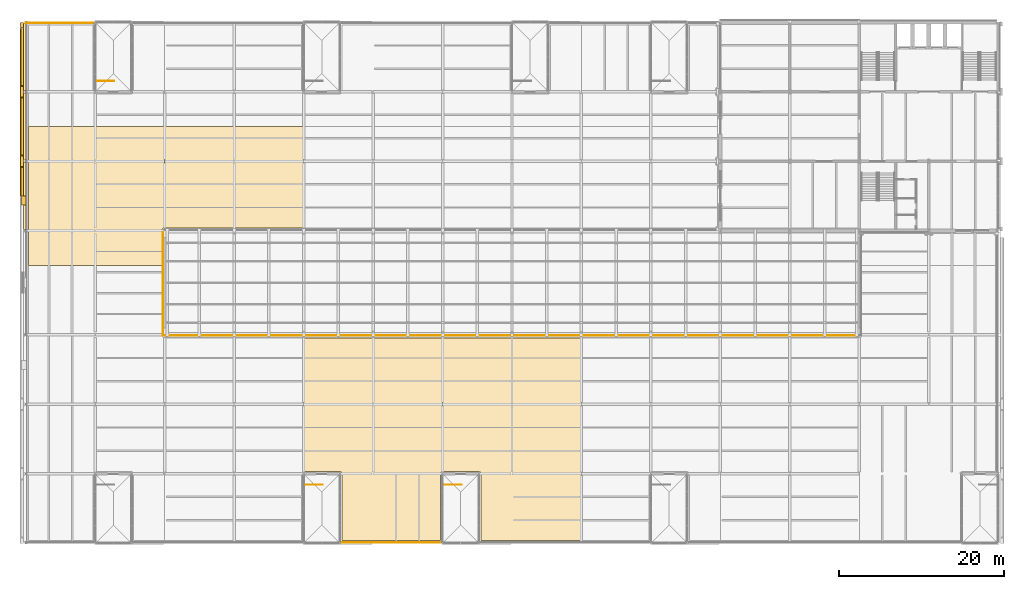
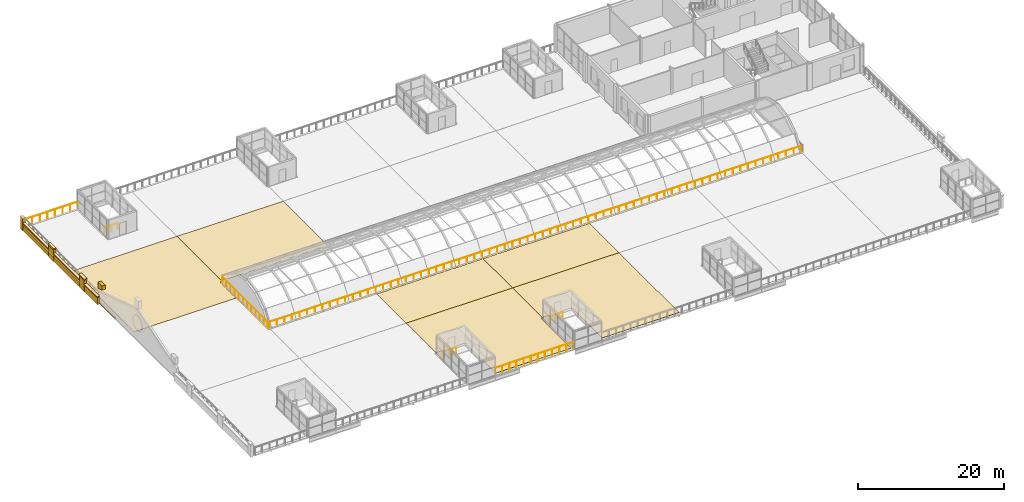
# One storey, part 51 of 58: 21 coverings, 7 railings.
"""IFC4 building model written with IfcOpenShell, lengths in metres."""

from ifc_helpers import new_model, si_unit, direction, frame, origin, origin_2d, place, context, subcontext, project, spatial, polyline, rectangle, circle, outline, extrude, material, layer, layer_set, type_object, element, save


model = new_model("IFC4")

# Units and contexts
model_context = context("Model", 3, precision=1e-05, world=origin(), true_north=direction((0.0, 1.0)))
body_context = subcontext(model_context, "Body", "Model", "MODEL_VIEW")
ifc_project = project(units=[si_unit("LENGTHUNIT", "METRE"), si_unit("AREAUNIT", "SQUARE_METRE"), si_unit("VOLUMEUNIT", "CUBIC_METRE"), si_unit("PLANEANGLEUNIT", "RADIAN"), si_unit("MASSUNIT", "GRAM", prefix="KILO")], contexts=[model_context])

# Site, building, storey
site_placement = place(None, origin())
site = spatial("IfcSite", under=ifc_project, at=site_placement, CompositionType="ELEMENT")
building_placement = place(site_placement, origin())
building = spatial("IfcBuilding", under=site, at=building_placement, Name="Galleria Vessillo Department Store", CompositionType="ELEMENT")
storey_placement = place(building_placement, frame((0.0, 0.0, 31.199951171875)))
storey = spatial("IfcBuildingStorey", under=building, at=storey_placement, Name="L06", CompositionType="ELEMENT", Elevation=31.199951171875)

# Coverings
ifc_material_1 = material(Name="Botticino limestone ashlar", Category="masonry")
ifc_layer_1 = layer(ifc_material_1, 0.530029296875)
ifc_layer_set_1 = layer_set([ifc_layer_1], Name="Botticino limestone ashlar")
covering_type_1 = type_object("IfcCoveringType", Name="Limestone acroterion block 1100 x 530", PredefinedType="CLADDING", material=ifc_layer_set_1)
covering_1_placement = place(storey_placement, frame((-0.5, 0.0, 0.0), z_axis=(1.0, 0.0, 0.0), x_axis=(0.0, 1.0, 0.0)))
element("IfcCovering", 1, at=covering_1_placement, inside=storey, type_object=covering_type_1, Name="Acroterion West Street pediment corner N", PredefinedType="CLADDING", context=body_context, shape_type="SweptSolid", body=[
    extrude(outline(polyline([(40.89990234375, 2.856201171875), (42.0, 2.5), (42.0, 3.55615234375), (40.89990234375, 3.55615234375), (40.89990234375, 2.856201171875)])), origin(), (0.0, 0.0, 1.0), 0.530029296875),
])
ifc_material_2 = material(Name="Botticino limestone ashlar", Category="masonry")
ifc_layer_2 = layer(ifc_material_2, 0.409912109375)
ifc_layer_set_2 = layer_set([ifc_layer_2], Name="Botticino limestone ashlar")
covering_type_2 = type_object("IfcCoveringType", Name="Limestone attic pier 1300 x 410 x 2000", PredefinedType="CLADDING", material=ifc_layer_set_2)
for number, where, z_axis, x_axis, name in (
    (2, (-0.455078125, 46.199951171875, -0.199951171875), (0.0, 0.0, 1.0), (1.0, 0.0, 0.0), "Attic pier W y=46.2"),
    (3, (-0.455078125, 54.60009765625, -0.199951171875), (0.0, 0.0, 1.0), (1.0, 0.0, 0.0), "Attic pier W y=54.6"),
):
    element("IfcCovering", number, at=place(storey_placement, frame(where, z_axis=z_axis, x_axis=x_axis)), inside=storey, type_object=covering_type_2, Name=name, PredefinedType="CLADDING", context=body_context, shape_type="SweptSolid", body=[
        extrude(rectangle(XDim=0.409912109375, YDim=1.300048828125, at=origin_2d()), origin(), (0.0, 0.0, 1.0), 2.0),
    ])
covering_2_placement = place(storey_placement, frame((-0.455078125, 62.675048828125, -0.199951171875), z_axis=(0.0, 0.0, 1.0), x_axis=(1.0, 0.0, 0.0)))
element("IfcCovering", 4, at=covering_2_placement, inside=storey, type_object=covering_type_2, Name="Attic pier W y=63.0", PredefinedType="CLADDING", context=body_context, shape_type="SweptSolid", body=[
    extrude(rectangle(XDim=0.409912109375, YDim=0.64990234375, at=origin_2d()), origin(), (0.0, 0.0, 1.0), 2.0),
])
ifc_material_3 = material(Name="Botticino limestone ashlar", Category="masonry")
ifc_layer_3 = layer(ifc_material_3, 0.35009765625)
ifc_layer_set_3 = layer_set([ifc_layer_3], Name="Botticino limestone ashlar")
covering_type_3 = type_object("IfcCoveringType", Name="Limestone blocking course 350 x 1200", PredefinedType="CLADDING", material=ifc_layer_set_3)
covering_3_placement = place(storey_placement, frame((-0.425048828125, 43.77490234375, -0.19970703125), z_axis=(0.0, 0.0, 1.0), x_axis=(1.0, 0.0, 0.0)))
element("IfcCovering", 5, at=covering_3_placement, inside=storey, type_object=covering_type_3, Name="Blocking course W y=42.0-45.6", PredefinedType="CLADDING", context=body_context, shape_type="SweptSolid", body=[
    extrude(rectangle(XDim=0.35009765625, YDim=3.550048828125, at=origin_2d()), origin(), (0.0, 0.0, 1.0), 1.199951171875),
])
covering_4_placement = place(storey_placement, frame((-0.425048828125, 50.400146484375, -0.19970703125), z_axis=(0.0, 0.0, 1.0), x_axis=(1.0, 0.0, 0.0)))
element("IfcCovering", 6, at=covering_4_placement, inside=storey, type_object=covering_type_3, Name="Blocking course W y=46.9-54.0", PredefinedType="CLADDING", context=body_context, shape_type="SweptSolid", body=[
    extrude(rectangle(XDim=0.35009765625, YDim=7.10009765625, at=origin_2d()), origin(), (0.0, 0.0, 1.0), 1.199951171875),
])
covering_5_placement = place(storey_placement, frame((-0.425048828125, 58.800048828125, -0.19970703125), z_axis=(0.0, 0.0, 1.0), x_axis=(1.0, 0.0, 0.0)))
element("IfcCovering", 7, at=covering_5_placement, inside=storey, type_object=covering_type_3, Name="Blocking course W y=55.3-62.4", PredefinedType="CLADDING", context=body_context, shape_type="SweptSolid", body=[
    extrude(rectangle(XDim=0.35009765625, YDim=7.099853515625, at=origin_2d()), origin(), (0.0, 0.0, 1.0), 1.199951171875),
])
ifc_material_4 = material(Name="Botticino limestone ashlar", Category="masonry")
ifc_layer_4 = layer(ifc_material_4, 0.429931640625)
ifc_layer_set_4 = layer_set([ifc_layer_4], Name="Botticino limestone ashlar")
covering_type_4 = type_object("IfcCoveringType", Name="Limestone blocking course cap 430 x 150", PredefinedType="MOLDING", material=ifc_layer_set_4)
covering_6_placement = place(storey_placement, frame((-0.465087890625, 43.77490234375, 1.0), z_axis=(0.0, 0.0, 1.0), x_axis=(1.0, 0.0, 0.0)))
element("IfcCovering", 8, at=covering_6_placement, inside=storey, type_object=covering_type_4, Name="Blocking course cap W y=42.0-45.6", PredefinedType="MOLDING", context=body_context, shape_type="SweptSolid", body=[
    extrude(rectangle(XDim=0.429931640625, YDim=3.550048828125, at=origin_2d()), origin(), (0.0, 0.0, 1.0), 0.14990234375),
])
covering_7_placement = place(storey_placement, frame((-0.465087890625, 50.400146484375, 1.0), z_axis=(0.0, 0.0, 1.0), x_axis=(1.0, 0.0, 0.0)))
element("IfcCovering", 9, at=covering_7_placement, inside=storey, type_object=covering_type_4, Name="Blocking course cap W y=46.9-54.0", PredefinedType="MOLDING", context=body_context, shape_type="SweptSolid", body=[
    extrude(rectangle(XDim=0.429931640625, YDim=7.10009765625, at=origin_2d()), origin(), (0.0, 0.0, 1.0), 0.14990234375),
])
covering_8_placement = place(storey_placement, frame((-0.465087890625, 58.800048828125, 1.0), z_axis=(0.0, 0.0, 1.0), x_axis=(1.0, 0.0, 0.0)))
element("IfcCovering", 10, at=covering_8_placement, inside=storey, type_object=covering_type_4, Name="Blocking course cap W y=55.3-62.4", PredefinedType="MOLDING", context=body_context, shape_type="SweptSolid", body=[
    extrude(rectangle(XDim=0.429931640625, YDim=7.099853515625, at=origin_2d()), origin(), (0.0, 0.0, 1.0), 0.14990234375),
])
ifc_material_5 = material(Name="Botticino limestone ashlar", Category="masonry")
ifc_layer_5 = layer(ifc_material_5, 0.449951171875)
ifc_layer_set_5 = layer_set([ifc_layer_5], Name="Botticino limestone ashlar")
covering_type_5 = type_object("IfcCoveringType", Name="Limestone pier cap 1500 x 450 x 200", PredefinedType="MOLDING", material=ifc_layer_set_5)
for number, where, z_axis, x_axis, name in (
    (11, (-0.47509765625, 46.199951171875, 1.80029296875), (0.0, 0.0, 1.0), (1.0, 0.0, 0.0), "Attic pier cap W y=46.2"),
    (12, (-0.47509765625, 54.60009765625, 1.80029296875), (0.0, 0.0, 1.0), (1.0, 0.0, 0.0), "Attic pier cap W y=54.6"),
):
    element("IfcCovering", number, at=place(storey_placement, frame(where, z_axis=z_axis, x_axis=x_axis)), inside=storey, type_object=covering_type_5, Name=name, PredefinedType="MOLDING", context=body_context, shape_type="SweptSolid", body=[
        extrude(rectangle(XDim=0.449951171875, YDim=1.5, at=origin_2d()), origin(), (0.0, 0.0, 1.0), 0.199951171875),
    ])
ifc_material_6 = material(Name="Botticino limestone ashlar", Category="masonry")
ifc_layer_6 = layer(ifc_material_6, 0.14990234375)
ifc_layer_set_6 = layer_set([ifc_layer_6], Name="Botticino limestone ashlar")
covering_type_6 = type_object("IfcCoveringType", Name="Limestone slab-edge fascia 150 mm", PredefinedType="CLADDING", material=ifc_layer_set_6)
covering_9_placement = place(storey_placement, frame((-0.125, 42.0, -0.19970703125), z_axis=(0.0, 0.0, 1.0), x_axis=(1.0, 0.0, 0.0)))
element("IfcCovering", 13, at=covering_9_placement, inside=storey, type_object=covering_type_6, Name="Slab-edge fascia SW-L05-05", PredefinedType="CLADDING", context=body_context, shape_type="SweptSolid", body=[
    extrude(rectangle(XDim=0.25, YDim=8.099853515625, at=origin_2d()), origin(), (0.0, 0.0, 1.0), 0.199951171875),
])
covering_10_placement = place(storey_placement, frame((-0.125, 50.39990234375, -0.19970703125), z_axis=(0.0, 0.0, 1.0), x_axis=(1.0, 0.0, 0.0)))
element("IfcCovering", 14, at=covering_10_placement, inside=storey, type_object=covering_type_6, Name="Slab-edge fascia SW-L05-06", PredefinedType="CLADDING", context=body_context, shape_type="SweptSolid", body=[
    extrude(rectangle(XDim=0.25, YDim=8.10009765625, at=origin_2d()), origin(), (0.0, 0.0, 1.0), 0.199951171875),
])
covering_11_placement = place(storey_placement, frame((-0.125, 58.800048828125, -0.19970703125), z_axis=(0.0, 0.0, 1.0), x_axis=(1.0, 0.0, 0.0)))
element("IfcCovering", 15, at=covering_11_placement, inside=storey, type_object=covering_type_6, Name="Slab-edge fascia SW-L05-07", PredefinedType="CLADDING", context=body_context, shape_type="SweptSolid", body=[
    extrude(rectangle(XDim=0.25, YDim=8.099853515625, at=origin_2d()), origin(), (0.0, 0.0, 1.0), 0.199951171875),
])

# Railings
ifc_material_7 = material(Name="Limestone ashlar balusters", Category="masonry")
railing_type_1 = type_object("IfcRailingType", Name="Podium roof balustrade 1200 mm", PredefinedType="BALUSTRADE", material=ifc_material_7)
railing_1_placement = place(storey_placement, frame((38.0, 0.080078125, 0.0)))
element("IfcRailing", 16, at=railing_1_placement, inside=storey, type_object=railing_type_1, Name="Podium roof balustrade L06-03", PredefinedType="BALUSTRADE", context=body_context, shape_type="SweptSolid", body=[
    extrude(circle(Radius=0.02392578125, at=origin_2d()), frame((0.0, 0.0, 1.17578125), z_axis=(1.0, 0.0, 0.0), x_axis=(0.0, 1.0, 0.0)), (0.0, 0.0, 1.0), 12.39990234375),
    extrude(circle(Radius=0.02099609375, at=origin_2d()), origin(), (0.0, 0.0, 1.0), 1.15185546875),
    extrude(circle(Radius=0.02099609375, at=origin_2d()), frame((1.127197265625, 0.0, 0.0)), (0.0, 0.0, 1.0), 1.15185546875),
    extrude(circle(Radius=0.02099609375, at=origin_2d()), frame((2.254638671875, 0.0, 0.0)), (0.0, 0.0, 1.0), 1.15185546875),
    extrude(circle(Radius=0.02099609375, at=origin_2d()), frame((3.3818359375, 0.0, 0.0)), (0.0, 0.0, 1.0), 1.15185546875),
    extrude(circle(Radius=0.02099609375, at=origin_2d()), frame((4.509033203125, 0.0, 0.0)), (0.0, 0.0, 1.0), 1.15185546875),
    extrude(circle(Radius=0.02099609375, at=origin_2d()), frame((5.63623046875, 0.0, 0.0)), (0.0, 0.0, 1.0), 1.15185546875),
    extrude(circle(Radius=0.02099609375, at=origin_2d()), frame((6.763671875, 0.0, 0.0)), (0.0, 0.0, 1.0), 1.15185546875),
    extrude(circle(Radius=0.02099609375, at=origin_2d()), frame((7.890869140625, 0.0, 0.0)), (0.0, 0.0, 1.0), 1.15185546875),
    extrude(circle(Radius=0.02099609375, at=origin_2d()), frame((9.01806640625, 0.0, 0.0)), (0.0, 0.0, 1.0), 1.15185546875),
    extrude(circle(Radius=0.02099609375, at=origin_2d()), frame((10.145263671875, 0.0, 0.0)), (0.0, 0.0, 1.0), 1.15185546875),
    extrude(circle(Radius=0.02099609375, at=origin_2d()), frame((11.272705078125, 0.0, 0.0)), (0.0, 0.0, 1.0), 1.15185546875),
    extrude(circle(Radius=0.02099609375, at=origin_2d()), frame((12.39990234375, 0.0, 0.0)), (0.0, 0.0, 1.0), 1.15185546875),
])
railing_2_placement = place(storey_placement, frame((0.0, 62.919921875, 0.0)))
element("IfcRailing", 17, at=railing_2_placement, inside=storey, type_object=railing_type_1, Name="Podium roof balustrade L06-07", PredefinedType="BALUSTRADE", context=body_context, shape_type="SweptSolid", body=[
    extrude(circle(Radius=0.02392578125, at=origin_2d()), frame((0.0, 0.0, 1.17578125), z_axis=(1.0, 0.0, 0.0), x_axis=(0.0, 1.0, 0.0)), (0.0, 0.0, 1.0), 8.39990234375),
    extrude(circle(Radius=0.02099609375, at=origin_2d()), origin(), (0.0, 0.0, 1.0), 1.15185546875),
    extrude(circle(Radius=0.02099609375, at=origin_2d()), frame((1.199951171875, 0.0, 0.0)), (0.0, 0.0, 1.0), 1.15185546875),
    extrude(circle(Radius=0.02099609375, at=origin_2d()), frame((2.39990234375, 0.0, 0.0)), (0.0, 0.0, 1.0), 1.15185546875),
    extrude(circle(Radius=0.02099609375, at=origin_2d()), frame((3.599853515625, 0.0, 0.0)), (0.0, 0.0, 1.0), 1.15185546875),
    extrude(circle(Radius=0.02099609375, at=origin_2d()), frame((4.800048828125, 0.0, 0.0)), (0.0, 0.0, 1.0), 1.15185546875),
    extrude(circle(Radius=0.02099609375, at=origin_2d()), frame((6.0, 0.0, 0.0)), (0.0, 0.0, 1.0), 1.15185546875),
    extrude(circle(Radius=0.02099609375, at=origin_2d()), frame((7.199951171875, 0.0, 0.0)), (0.0, 0.0, 1.0), 1.15185546875),
    extrude(circle(Radius=0.02099609375, at=origin_2d()), frame((8.39990234375, 0.0, 0.0)), (0.0, 0.0, 1.0), 1.15185546875),
])

# Coverings
ifc_material_8 = material(Name="Serizzo granite paving", Category="masonry")
ifc_layer_7 = layer(ifc_material_8, 0.0400390625)
ifc_layer_set_7 = layer_set([ifc_layer_7], Name="Serizzo granite paving")
covering_type_7 = type_object("IfcCoveringType", Name="Serizzo stone terrace paving 40 mm", PredefinedType="FLOORING", material=ifc_layer_set_7)
covering_12_placement = place(storey_placement, origin())
element("IfcCovering", 18, at=covering_12_placement, inside=storey, type_object=covering_type_7, Name="Terrace paving L06 field 3", PredefinedType="FLOORING", context=body_context, shape_type="SweptSolid", body=[
    extrude(outline(polyline([(0.35009765625, 50.39990234375), (16.800048828125, 50.39990234375), (16.800048828125, 38.150146484375), (16.765625, 38.1484375), (16.731689453125, 38.143310546875), (16.698486328125, 38.135009765625), (16.666015625, 38.123291015625), (16.635009765625, 38.108642578125), (16.605712890625, 38.091064453125), (16.578125, 38.070556640625), (16.552490234375, 38.047607421875), (16.529541015625, 38.02197265625), (16.509033203125, 37.994384765625), (16.491455078125, 37.965087890625), (16.476806640625, 37.93408203125), (16.465087890625, 37.901611328125), (16.456787109375, 37.868408203125), (16.45166015625, 37.83447265625), (16.449951171875, 37.800048828125), (16.449951171875, 33.60009765625), (0.35009765625, 33.60009765625), (0.35009765625, 50.39990234375)])), origin(), (0.0, 0.0, 1.0), 0.0400390625),
])
covering_13_placement = place(storey_placement, origin())
element("IfcCovering", 19, at=covering_13_placement, inside=storey, type_object=covering_type_7, Name="Terrace paving L06 field 7", PredefinedType="FLOORING", context=body_context, shape_type="SweptSolid", body=[
    extrude(outline(polyline([(16.800048828125, 38.150146484375), (16.800048828125, 38.150146484375), (16.800048828125, 50.39990234375), (33.60009765625, 50.39990234375), (33.60009765625, 38.150146484375), (16.800048828125, 38.150146484375)])), origin(), (0.0, 0.0, 1.0), 0.0400390625),
])
covering_14_placement = place(storey_placement, origin())
element("IfcCovering", 20, at=covering_14_placement, inside=storey, type_object=covering_type_7, Name="Terrace paving L06 field 9", PredefinedType="FLOORING", context=body_context, shape_type="SweptSolid", body=[
    extrude(outline(polyline([(50.39990234375, 8.64990234375), (50.37548828125, 8.648681640625), (50.35107421875, 8.64501953125), (50.327392578125, 8.63916015625), (50.30419921875, 8.630859375), (50.281982421875, 8.620361328125), (50.260986328125, 8.607666015625), (50.2412109375, 8.59326171875), (50.22314453125, 8.57666015625), (50.20654296875, 8.55859375), (50.192138671875, 8.538818359375), (50.179443359375, 8.517822265625), (50.1689453125, 8.49560546875), (50.16064453125, 8.472412109375), (50.15478515625, 8.44873046875), (50.151123046875, 8.42431640625), (50.14990234375, 8.39990234375), (50.14990234375, 0.35009765625), (38.25, 0.35009765625), (38.25, 8.39990234375), (38.248779296875, 8.42431640625), (38.2451171875, 8.44873046875), (38.2392578125, 8.472412109375), (38.23095703125, 8.49560546875), (38.220458984375, 8.517822265625), (38.207763671875, 8.538818359375), (38.193359375, 8.55859375), (38.1767578125, 8.57666015625), (38.15869140625, 8.59326171875), (38.138916015625, 8.607666015625), (38.117919921875, 8.620361328125), (38.095703125, 8.630859375), (38.072509765625, 8.63916015625), (38.048828125, 8.64501953125), (38.0244140625, 8.648681640625), (38.0, 8.64990234375), (37.949951171875, 8.64990234375), (37.949951171875, 8.64990234375), (33.650146484375, 8.64990234375), (33.650146484375, 8.64990234375), (33.60009765625, 8.64990234375), (33.60009765625, 8.64990234375), (33.60009765625, 16.800048828125), (50.39990234375, 16.800048828125), (50.39990234375, 8.64990234375), (50.39990234375, 8.64990234375)])), origin(), (0.0, 0.0, 1.0), 0.0400390625),
])
covering_15_placement = place(storey_placement, origin())
element("IfcCovering", 21, at=covering_15_placement, inside=storey, type_object=covering_type_7, Name="Terrace paving L06 field 10", PredefinedType="FLOORING", context=body_context, shape_type="SweptSolid", body=[
    extrude(outline(polyline([(50.39990234375, 24.849853515625), (50.39990234375, 16.800048828125), (33.60009765625, 16.800048828125), (33.60009765625, 24.849853515625), (50.39990234375, 24.849853515625)])), origin(), (0.0, 0.0, 1.0), 0.0400390625),
])
covering_16_placement = place(storey_placement, origin())
element("IfcCovering", 22, at=covering_16_placement, inside=storey, type_object=covering_type_7, Name="Terrace paving L06 field 13", PredefinedType="FLOORING", context=body_context, shape_type="SweptSolid", body=[
    extrude(outline(polyline([(55.050048828125, 0.35009765625), (55.050048828125, 8.39990234375), (55.048828125, 8.42431640625), (55.045166015625, 8.44873046875), (55.039306640625, 8.472412109375), (55.031005859375, 8.49560546875), (55.0205078125, 8.517822265625), (55.0078125, 8.538818359375), (54.993408203125, 8.55859375), (54.976806640625, 8.57666015625), (54.958740234375, 8.59326171875), (54.93896484375, 8.607666015625), (54.91796875, 8.620361328125), (54.895751953125, 8.630859375), (54.87255859375, 8.63916015625), (54.848876953125, 8.64501953125), (54.824462890625, 8.648681640625), (54.800048828125, 8.64990234375), (54.75, 8.64990234375), (54.75, 8.64990234375), (50.449951171875, 8.64990234375), (50.449951171875, 8.64990234375), (50.39990234375, 8.64990234375), (50.39990234375, 16.800048828125), (67.199951171875, 16.800048828125), (67.199951171875, 0.35009765625), (55.050048828125, 0.35009765625)])), origin(), (0.0, 0.0, 1.0), 0.0400390625),
])
covering_17_placement = place(storey_placement, origin())
element("IfcCovering", 23, at=covering_17_placement, inside=storey, type_object=covering_type_7, Name="Terrace paving L06 field 14", PredefinedType="FLOORING", context=body_context, shape_type="SweptSolid", body=[
    extrude(outline(polyline([(67.199951171875, 24.849853515625), (67.199951171875, 16.800048828125), (50.39990234375, 16.800048828125), (50.39990234375, 24.849853515625), (67.199951171875, 24.849853515625)])), origin(), (0.0, 0.0, 1.0), 0.0400390625),
])

# Railings
ifc_material_9 = material(Name="Stainless steel tube", Category="steel")
railing_type_2 = type_object("IfcRailingType", Name="Stair well guard 1100 mm", PredefinedType="GUARDRAIL", material=ifc_material_9)
for number, where, name in (
    (24, (8.599853515625, 55.919921875, 0.0), "Stair well guard ST2 L06"),
    (25, (33.800048828125, 7.080078125, 0.0), "Stair well guard ST3 L06"),
    (26, (50.599853515625, 7.080078125, 0.0), "Stair well guard ST10 L06"),
):
    element("IfcRailing", number, at=place(storey_placement, frame(where)), inside=storey, type_object=railing_type_2, Name=name, PredefinedType="GUARDRAIL", context=body_context, shape_type="SweptSolid", body=[
        extrude(circle(Radius=0.02392578125, at=origin_2d()), frame((0.0, 0.0, 1.076171875), z_axis=(1.0, 0.0, 0.0), x_axis=(0.0, 1.0, 0.0)), (0.0, 0.0, 1.0), 2.10009765625),
        extrude(circle(Radius=0.02099609375, at=origin_2d()), origin(), (0.0, 0.0, 1.0), 1.052001953125),
        extrude(circle(Radius=0.02099609375, at=origin_2d()), frame((1.050048828125, 0.0, 0.0)), (0.0, 0.0, 1.0), 1.052001953125),
        extrude(circle(Radius=0.02099609375, at=origin_2d()), frame((2.10009765625, 0.0, 0.0)), (0.0, 0.0, 1.0), 1.052001953125),
    ])
ifc_material_10 = material(Name="Stainless steel tube", Category="steel")
railing_type_3 = type_object("IfcRailingType", Name="Vault edge guard 1100 mm", PredefinedType="GUARDRAIL", material=ifc_material_10)
railing_3_placement = place(storey_placement, frame((16.800048828125, 25.119873046875, 0.0)))
element("IfcRailing", 27, at=railing_3_placement, inside=storey, type_object=railing_type_3, Name="Vault edge guard L06-13", PredefinedType="GUARDRAIL", context=body_context, shape_type="SweptSolid", body=[
    extrude(circle(Radius=0.02392578125, at=origin_2d()), frame((0.0, 0.0, 1.076171875), z_axis=(1.0, 0.0, 0.0), x_axis=(0.0, 1.0, 0.0)), (0.0, 0.0, 1.0), 84.0),
    extrude(circle(Radius=0.02099609375, at=origin_2d()), origin(), (0.0, 0.0, 1.0), 1.052001953125),
    extrude(circle(Radius=0.02099609375, at=origin_2d()), frame((1.199951171875, 0.0, 0.0)), (0.0, 0.0, 1.0), 1.052001953125),
    extrude(circle(Radius=0.02099609375, at=origin_2d()), frame((2.39990234375, 0.0, 0.0)), (0.0, 0.0, 1.0), 1.052001953125),
    extrude(circle(Radius=0.02099609375, at=origin_2d()), frame((3.60009765625, 0.0, 0.0)), (0.0, 0.0, 1.0), 1.052001953125),
    extrude(circle(Radius=0.02099609375, at=origin_2d()), frame((4.800048828125, 0.0, 0.0)), (0.0, 0.0, 1.0), 1.052001953125),
    extrude(circle(Radius=0.02099609375, at=origin_2d()), frame((6.0, 0.0, 0.0)), (0.0, 0.0, 1.0), 1.052001953125),
    extrude(circle(Radius=0.02099609375, at=origin_2d()), frame((7.199951171875, 0.0, 0.0)), (0.0, 0.0, 1.0), 1.052001953125),
    extrude(circle(Radius=0.02099609375, at=origin_2d()), frame((8.39990234375, 0.0, 0.0)), (0.0, 0.0, 1.0), 1.052001953125),
    extrude(circle(Radius=0.02099609375, at=origin_2d()), frame((9.60009765625, 0.0, 0.0)), (0.0, 0.0, 1.0), 1.052001953125),
    extrude(circle(Radius=0.02099609375, at=origin_2d()), frame((10.800048828125, 0.0, 0.0)), (0.0, 0.0, 1.0), 1.052001953125),
    extrude(circle(Radius=0.02099609375, at=origin_2d()), frame((12.0, 0.0, 0.0)), (0.0, 0.0, 1.0), 1.052001953125),
    extrude(circle(Radius=0.02099609375, at=origin_2d()), frame((13.199951171875, 0.0, 0.0)), (0.0, 0.0, 1.0), 1.052001953125),
    extrude(circle(Radius=0.02099609375, at=origin_2d()), frame((14.39990234375, 0.0, 0.0)), (0.0, 0.0, 1.0), 1.052001953125),
    extrude(circle(Radius=0.02099609375, at=origin_2d()), frame((15.60009765625, 0.0, 0.0)), (0.0, 0.0, 1.0), 1.052001953125),
    extrude(circle(Radius=0.02099609375, at=origin_2d()), frame((16.800048828125, 0.0, 0.0)), (0.0, 0.0, 1.0), 1.052001953125),
    extrude(circle(Radius=0.02099609375, at=origin_2d()), frame((18.0, 0.0, 0.0)), (0.0, 0.0, 1.0), 1.052001953125),
    extrude(circle(Radius=0.02099609375, at=origin_2d()), frame((19.199951171875, 0.0, 0.0)), (0.0, 0.0, 1.0), 1.052001953125),
    extrude(circle(Radius=0.02099609375, at=origin_2d()), frame((20.39990234375, 0.0, 0.0)), (0.0, 0.0, 1.0), 1.052001953125),
    extrude(circle(Radius=0.02099609375, at=origin_2d()), frame((21.60009765625, 0.0, 0.0)), (0.0, 0.0, 1.0), 1.052001953125),
    extrude(circle(Radius=0.02099609375, at=origin_2d()), frame((22.800048828125, 0.0, 0.0)), (0.0, 0.0, 1.0), 1.052001953125),
    extrude(circle(Radius=0.02099609375, at=origin_2d()), frame((24.0, 0.0, 0.0)), (0.0, 0.0, 1.0), 1.052001953125),
    extrude(circle(Radius=0.02099609375, at=origin_2d()), frame((25.199951171875, 0.0, 0.0)), (0.0, 0.0, 1.0), 1.052001953125),
    extrude(circle(Radius=0.02099609375, at=origin_2d()), frame((26.39990234375, 0.0, 0.0)), (0.0, 0.0, 1.0), 1.052001953125),
    extrude(circle(Radius=0.02099609375, at=origin_2d()), frame((27.60009765625, 0.0, 0.0)), (0.0, 0.0, 1.0), 1.052001953125),
    extrude(circle(Radius=0.02099609375, at=origin_2d()), frame((28.800048828125, 0.0, 0.0)), (0.0, 0.0, 1.0), 1.052001953125),
    extrude(circle(Radius=0.02099609375, at=origin_2d()), frame((30.0, 0.0, 0.0)), (0.0, 0.0, 1.0), 1.052001953125),
    extrude(circle(Radius=0.02099609375, at=origin_2d()), frame((31.199951171875, 0.0, 0.0)), (0.0, 0.0, 1.0), 1.052001953125),
    extrude(circle(Radius=0.02099609375, at=origin_2d()), frame((32.39990234375, 0.0, 0.0)), (0.0, 0.0, 1.0), 1.052001953125),
    extrude(circle(Radius=0.02099609375, at=origin_2d()), frame((33.60009765625, 0.0, 0.0)), (0.0, 0.0, 1.0), 1.052001953125),
    extrude(circle(Radius=0.02099609375, at=origin_2d()), frame((34.800048828125, 0.0, 0.0)), (0.0, 0.0, 1.0), 1.052001953125),
    extrude(circle(Radius=0.02099609375, at=origin_2d()), frame((36.0, 0.0, 0.0)), (0.0, 0.0, 1.0), 1.052001953125),
    extrude(circle(Radius=0.02099609375, at=origin_2d()), frame((37.199951171875, 0.0, 0.0)), (0.0, 0.0, 1.0), 1.052001953125),
    extrude(circle(Radius=0.02099609375, at=origin_2d()), frame((38.39990234375, 0.0, 0.0)), (0.0, 0.0, 1.0), 1.052001953125),
    extrude(circle(Radius=0.02099609375, at=origin_2d()), frame((39.60009765625, 0.0, 0.0)), (0.0, 0.0, 1.0), 1.052001953125),
    extrude(circle(Radius=0.02099609375, at=origin_2d()), frame((40.800048828125, 0.0, 0.0)), (0.0, 0.0, 1.0), 1.052001953125),
    extrude(circle(Radius=0.02099609375, at=origin_2d()), frame((42.0, 0.0, 0.0)), (0.0, 0.0, 1.0), 1.052001953125),
    extrude(circle(Radius=0.02099609375, at=origin_2d()), frame((43.199951171875, 0.0, 0.0)), (0.0, 0.0, 1.0), 1.052001953125),
    extrude(circle(Radius=0.02099609375, at=origin_2d()), frame((44.39990234375, 0.0, 0.0)), (0.0, 0.0, 1.0), 1.052001953125),
    extrude(circle(Radius=0.02099609375, at=origin_2d()), frame((45.60009765625, 0.0, 0.0)), (0.0, 0.0, 1.0), 1.052001953125),
    extrude(circle(Radius=0.02099609375, at=origin_2d()), frame((46.800048828125, 0.0, 0.0)), (0.0, 0.0, 1.0), 1.052001953125),
    extrude(circle(Radius=0.02099609375, at=origin_2d()), frame((48.0, 0.0, 0.0)), (0.0, 0.0, 1.0), 1.052001953125),
    extrude(circle(Radius=0.02099609375, at=origin_2d()), frame((49.199951171875, 0.0, 0.0)), (0.0, 0.0, 1.0), 1.052001953125),
    extrude(circle(Radius=0.02099609375, at=origin_2d()), frame((50.39990234375, 0.0, 0.0)), (0.0, 0.0, 1.0), 1.052001953125),
    extrude(circle(Radius=0.02099609375, at=origin_2d()), frame((51.60009765625, 0.0, 0.0)), (0.0, 0.0, 1.0), 1.052001953125),
    extrude(circle(Radius=0.02099609375, at=origin_2d()), frame((52.800048828125, 0.0, 0.0)), (0.0, 0.0, 1.0), 1.052001953125),
    extrude(circle(Radius=0.02099609375, at=origin_2d()), frame((54.0, 0.0, 0.0)), (0.0, 0.0, 1.0), 1.052001953125),
    extrude(circle(Radius=0.02099609375, at=origin_2d()), frame((55.199951171875, 0.0, 0.0)), (0.0, 0.0, 1.0), 1.052001953125),
    extrude(circle(Radius=0.02099609375, at=origin_2d()), frame((56.39990234375, 0.0, 0.0)), (0.0, 0.0, 1.0), 1.052001953125),
    extrude(circle(Radius=0.02099609375, at=origin_2d()), frame((57.60009765625, 0.0, 0.0)), (0.0, 0.0, 1.0), 1.052001953125),
    extrude(circle(Radius=0.02099609375, at=origin_2d()), frame((58.800048828125, 0.0, 0.0)), (0.0, 0.0, 1.0), 1.052001953125),
    extrude(circle(Radius=0.02099609375, at=origin_2d()), frame((60.0, 0.0, 0.0)), (0.0, 0.0, 1.0), 1.052001953125),
    extrude(circle(Radius=0.02099609375, at=origin_2d()), frame((61.199951171875, 0.0, 0.0)), (0.0, 0.0, 1.0), 1.052001953125),
    extrude(circle(Radius=0.02099609375, at=origin_2d()), frame((62.39990234375, 0.0, 0.0)), (0.0, 0.0, 1.0), 1.052001953125),
    extrude(circle(Radius=0.02099609375, at=origin_2d()), frame((63.60009765625, 0.0, 0.0)), (0.0, 0.0, 1.0), 1.052001953125),
    extrude(circle(Radius=0.02099609375, at=origin_2d()), frame((64.800048828125, 0.0, 0.0)), (0.0, 0.0, 1.0), 1.052001953125),
    extrude(circle(Radius=0.02099609375, at=origin_2d()), frame((66.0, 0.0, 0.0)), (0.0, 0.0, 1.0), 1.052001953125),
    extrude(circle(Radius=0.02099609375, at=origin_2d()), frame((67.199951171875, 0.0, 0.0)), (0.0, 0.0, 1.0), 1.052001953125),
    extrude(circle(Radius=0.02099609375, at=origin_2d()), frame((68.39990234375, 0.0, 0.0)), (0.0, 0.0, 1.0), 1.052001953125),
    extrude(circle(Radius=0.02099609375, at=origin_2d()), frame((69.60009765625, 0.0, 0.0)), (0.0, 0.0, 1.0), 1.052001953125),
    extrude(circle(Radius=0.02099609375, at=origin_2d()), frame((70.800048828125, 0.0, 0.0)), (0.0, 0.0, 1.0), 1.052001953125),
    extrude(circle(Radius=0.02099609375, at=origin_2d()), frame((72.0, 0.0, 0.0)), (0.0, 0.0, 1.0), 1.052001953125),
    extrude(circle(Radius=0.02099609375, at=origin_2d()), frame((73.199951171875, 0.0, 0.0)), (0.0, 0.0, 1.0), 1.052001953125),
    extrude(circle(Radius=0.02099609375, at=origin_2d()), frame((74.39990234375, 0.0, 0.0)), (0.0, 0.0, 1.0), 1.052001953125),
    extrude(circle(Radius=0.02099609375, at=origin_2d()), frame((75.60009765625, 0.0, 0.0)), (0.0, 0.0, 1.0), 1.052001953125),
    extrude(circle(Radius=0.02099609375, at=origin_2d()), frame((76.800048828125, 0.0, 0.0)), (0.0, 0.0, 1.0), 1.052001953125),
    extrude(circle(Radius=0.02099609375, at=origin_2d()), frame((78.0, 0.0, 0.0)), (0.0, 0.0, 1.0), 1.052001953125),
    extrude(circle(Radius=0.02099609375, at=origin_2d()), frame((79.199951171875, 0.0, 0.0)), (0.0, 0.0, 1.0), 1.052001953125),
    extrude(circle(Radius=0.02099609375, at=origin_2d()), frame((80.39990234375, 0.0, 0.0)), (0.0, 0.0, 1.0), 1.052001953125),
    extrude(circle(Radius=0.02099609375, at=origin_2d()), frame((81.60009765625, 0.0, 0.0)), (0.0, 0.0, 1.0), 1.052001953125),
    extrude(circle(Radius=0.02099609375, at=origin_2d()), frame((82.800048828125, 0.0, 0.0)), (0.0, 0.0, 1.0), 1.052001953125),
    extrude(circle(Radius=0.02099609375, at=origin_2d()), frame((84.0, 0.0, 0.0)), (0.0, 0.0, 1.0), 1.052001953125),
])
railing_4_placement = place(storey_placement, frame((16.800048828125, 25.1201171875, 0.0)))
element("IfcRailing", 28, at=railing_4_placement, inside=storey, type_object=railing_type_3, Name="Vault edge guard west end L06", PredefinedType="GUARDRAIL", context=body_context, shape_type="SweptSolid", body=[
    extrude(circle(Radius=0.02392578125, at=origin_2d()), frame((0.0, 0.0, 1.076171875), z_axis=(-1.0, 0.0, 0.0), x_axis=(0.0, -1.0, 0.0)), (0.0, 0.0, 1.0), 0.18994140625),
    extrude(circle(Radius=0.02392578125, at=origin_2d()), frame((-0.18994140625, 0.0, 1.076171875), z_axis=(0.0, 1.0, 0.0), x_axis=(-1.0, 0.0, 0.0)), (0.0, 0.0, 1.0), 12.47998046875),
    extrude(circle(Radius=0.02099609375, at=origin_2d()), origin(), (0.0, 0.0, 1.0), 1.052001953125),
    extrude(circle(Radius=0.02099609375, at=origin_2d()), frame((-0.18994140625, 0.0, 0.0)), (0.0, 0.0, 1.0), 1.052001953125),
    extrude(circle(Radius=0.02099609375, at=origin_2d()), frame((-0.18994140625, 1.134521484375, 0.0)), (0.0, 0.0, 1.0), 1.052001953125),
    extrude(circle(Radius=0.02099609375, at=origin_2d()), frame((-0.18994140625, 2.26904296875, 0.0)), (0.0, 0.0, 1.0), 1.052001953125),
    extrude(circle(Radius=0.02099609375, at=origin_2d()), frame((-0.18994140625, 3.403564453125, 0.0)), (0.0, 0.0, 1.0), 1.052001953125),
    extrude(circle(Radius=0.02099609375, at=origin_2d()), frame((-0.18994140625, 4.5380859375, 0.0)), (0.0, 0.0, 1.0), 1.052001953125),
    extrude(circle(Radius=0.02099609375, at=origin_2d()), frame((-0.18994140625, 5.672607421875, 0.0)), (0.0, 0.0, 1.0), 1.052001953125),
    extrude(circle(Radius=0.02099609375, at=origin_2d()), frame((-0.18994140625, 6.807373046875, 0.0)), (0.0, 0.0, 1.0), 1.052001953125),
    extrude(circle(Radius=0.02099609375, at=origin_2d()), frame((-0.18994140625, 7.94189453125, 0.0)), (0.0, 0.0, 1.0), 1.052001953125),
    extrude(circle(Radius=0.02099609375, at=origin_2d()), frame((-0.18994140625, 9.076416015625, 0.0)), (0.0, 0.0, 1.0), 1.052001953125),
    extrude(circle(Radius=0.02099609375, at=origin_2d()), frame((-0.18994140625, 10.2109375, 0.0)), (0.0, 0.0, 1.0), 1.052001953125),
    extrude(circle(Radius=0.02099609375, at=origin_2d()), frame((-0.18994140625, 11.345458984375, 0.0)), (0.0, 0.0, 1.0), 1.052001953125),
    extrude(circle(Radius=0.02099609375, at=origin_2d()), frame((-0.18994140625, 12.47998046875, 0.0)), (0.0, 0.0, 1.0), 1.052001953125),
])

save(model, "model.ifc")
